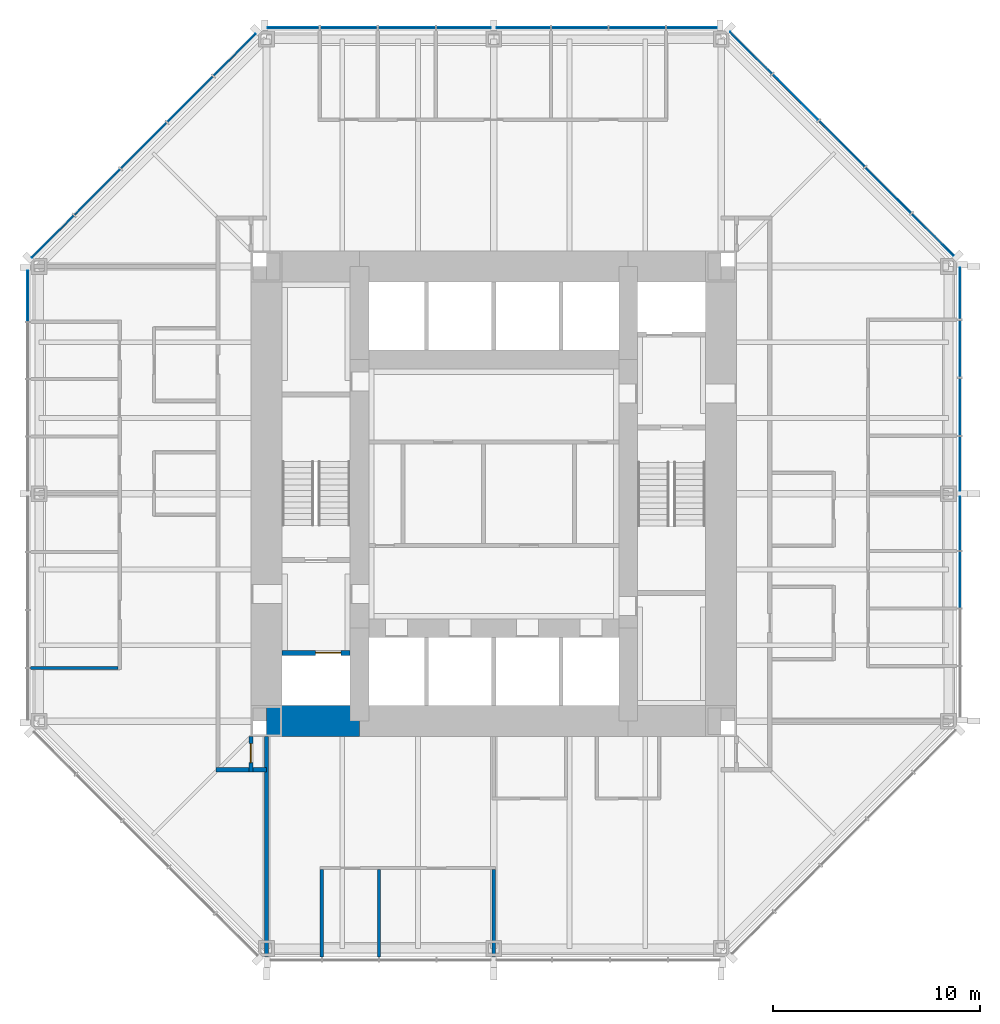
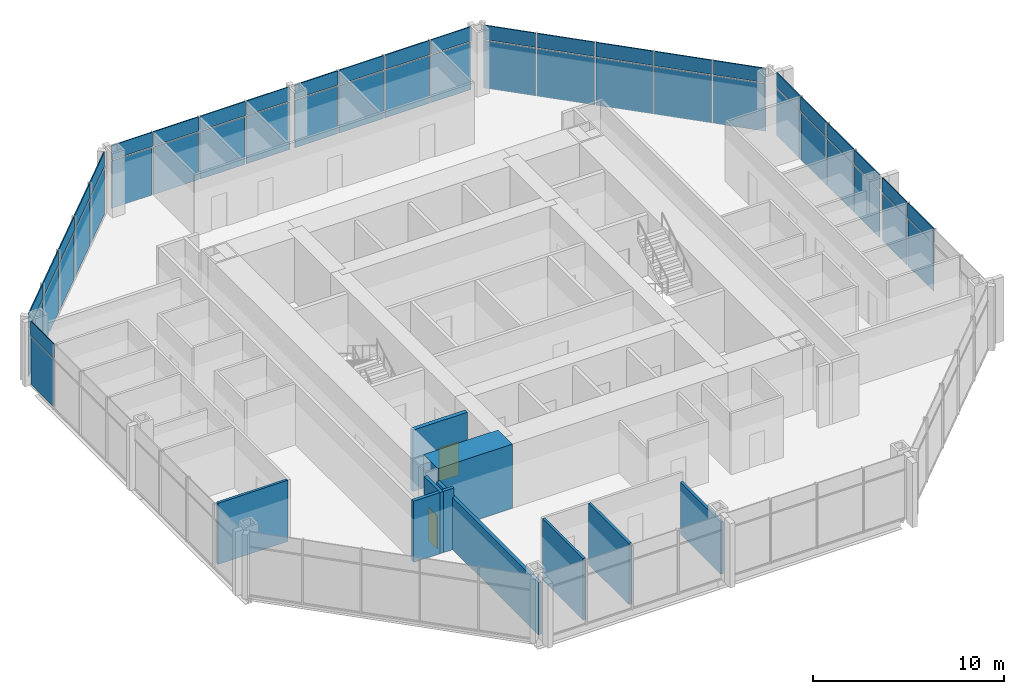
# One storey, part 8 of 12: 50 plates, 9 walls, 2 doors, 2 openings, 5 elements without a shape of their own.
"""IFC4 building model written with IfcOpenShell, lengths in metres."""

import ifcopenshell
import ifcopenshell.guid

model = None  # the IFC model being written
_history = None  # IfcOwnerHistory: only IFC2X3 demands one
_inside = {}  # id of a spatial element -> (the spatial element, [elements in it])
_under = {}  # id of a project, library or spatial element -> (it, [spatial elements below it])
_declared = {}  # id of a project -> (the project, [libraries it declares])
_typed = {}  # id of a type object -> (the type object, [elements of that type])
_made_of = {}  # id of a material, layer set ... -> (it, [elements and type objects made of it])


def new_model(schema):
    """Start an empty IFC model of exactly this schema.

    Asked for "IFC4X3", IfcOpenShell would pick the latest addendum, in which some entities
    have other attributes; the version numbers below select the first issue.
    IFC2X3 requires an IfcOwnerHistory on every rooted entity: one is made here for all.
    """
    global model, _history
    if schema == "IFC4X3":
        model = ifcopenshell.file(schema_version=(4, 3, 0, 0))
    else:
        model = ifcopenshell.file(schema=schema)
    _inside.clear()
    _under.clear()
    _declared.clear()
    _typed.clear()
    _made_of.clear()
    _history = None
    if model.schema == "IFC2X3":
        org = make("IfcOrganization", Name="unknown")
        user = make(
            "IfcPersonAndOrganization",
            ThePerson=make("IfcPerson", FamilyName="unknown"),
            TheOrganization=org,
        )
        app = make(
            "IfcApplication",
            ApplicationDeveloper=org,
            Version="unknown",
            ApplicationFullName="unknown",
            ApplicationIdentifier="unknown",
        )
        _history = make(
            "IfcOwnerHistory",
            OwningUser=user,
            OwningApplication=app,
            ChangeAction="ADDED",
            CreationDate=0,
        )
    return model


def make(cls, **values):
    """One entity of the class cls with the attributes given. An attribute that is None is left unset."""
    return model.create_entity(
        cls, **{name: value for name, value in values.items() if value is not None}
    )


def rooted(cls, **values):
    """An entity with a GlobalId (a new one), such as an element, a storey or a relation."""
    return make(cls, GlobalId=ifcopenshell.guid.new(), OwnerHistory=_history, **values)


def si_unit(unit_type, name, prefix=None):
    """IfcSIUnit, for example si_unit("LENGTHUNIT", "METRE", prefix="MILLI")."""
    return make("IfcSIUnit", UnitType=unit_type, Prefix=prefix, Name=name)


def assignment(units):
    """IfcUnitAssignment: the units of a project."""
    return None if units is None else make("IfcUnitAssignment", Units=units)


def point(xyz):
    """IfcCartesianPoint."""
    return None if xyz is None else make("IfcCartesianPoint", Coordinates=xyz)


def direction(xyz):
    """IfcDirection."""
    return None if xyz is None else make("IfcDirection", DirectionRatios=xyz)


def frame(location, z_axis=None, x_axis=None):
    """IfcAxis2Placement3D, a coordinate frame: its origin and axes. An axis left out is left unset."""
    return make(
        "IfcAxis2Placement3D",
        Location=point(location),
        Axis=direction(z_axis),
        RefDirection=direction(x_axis),
    )


def frame_2d(location, x_axis=None):
    """IfcAxis2Placement2D, a coordinate frame in the plane: its origin and x axis."""
    return make(
        "IfcAxis2Placement2D", Location=point(location), RefDirection=direction(x_axis)
    )


def origin():
    """The frame at (0, 0, 0) with its axes left unset."""
    return frame((0.0, 0.0, 0.0))


def origin_2d():
    """The frame at (0, 0) in the plane with its x axis left unset."""
    return frame_2d((0.0, 0.0))


def place(relative_to, where):
    """IfcLocalPlacement: puts the frame where relative to a parent placement (None: the world)."""
    return make(
        "IfcLocalPlacement", PlacementRelTo=relative_to, RelativePlacement=where
    )


def context(
    kind, dimensions, precision=None, world=None, true_north=None, identifier=None
):
    """IfcGeometricRepresentationContext, for example the 3D "Model" context."""
    return make(
        "IfcGeometricRepresentationContext",
        ContextIdentifier=identifier,
        ContextType=kind,
        CoordinateSpaceDimension=dimensions,
        Precision=precision,
        WorldCoordinateSystem=world,
        TrueNorth=true_north,
    )


def subcontext(parent, identifier, kind, view, scale=None):
    """IfcGeometricRepresentationSubContext, for example "Body" below "Model"."""
    return make(
        "IfcGeometricRepresentationSubContext",
        ContextIdentifier=identifier,
        ContextType=kind,
        ParentContext=parent,
        TargetScale=scale,
        TargetView=view,
    )


def project(units=None, contexts=None):
    """IfcProject with its units and contexts."""
    return rooted(
        "IfcProject",
        Name="project",
        RepresentationContexts=contexts,
        UnitsInContext=assignment(units),
    )


def spatial(cls, under=None, at=None, **own):
    """A site, building, storey or space (cls), placed at a placement, below another one or the project."""
    s = rooted(cls, ObjectPlacement=at, **own)
    if under is not None:
        _under.setdefault(under.id(), (under, []))[1].append(s)
    return s


def profile(cls, at=None, kind="AREA", **sizes):
    """A parametric profile (cls). Its sizes go by their IFC names, for example OverallWidth=200.0."""
    return make(cls, ProfileType=kind, Position=at, **sizes)


def rectangle(**sizes):
    """IfcRectangleProfileDef."""
    return profile("IfcRectangleProfileDef", **sizes)


def extrude(swept, where, along, depth):
    """IfcExtrudedAreaSolid: the profile swept, set in the frame where, extruded along a direction by depth."""
    return make(
        "IfcExtrudedAreaSolid",
        SweptArea=swept,
        Position=where,
        ExtrudedDirection=direction(along),
        Depth=depth,
    )


def shape(context_of_items, identifier, shape_type, items):
    """IfcShapeRepresentation: the items that make up one representation, for example the "Body"."""
    return make(
        "IfcShapeRepresentation",
        ContextOfItems=context_of_items,
        RepresentationIdentifier=identifier,
        RepresentationType=shape_type,
        Items=items,
    )


def material(Name=None, Category=None):
    """IfcMaterial."""
    return make("IfcMaterial", Name=Name, Category=Category)


def layer(
    of_material, thickness, ventilated=None, Name=None, Category=None, Priority=None
):
    """IfcMaterialLayer: one layer of a wall or slab, of a material (None: an air gap)."""
    return make(
        "IfcMaterialLayer",
        Material=of_material,
        LayerThickness=thickness,
        IsVentilated=ventilated,
        Name=Name,
        Category=Category,
        Priority=Priority,
    )


def layer_set(layers, Name=None):
    """IfcMaterialLayerSet."""
    return make("IfcMaterialLayerSet", MaterialLayers=layers, LayerSetName=Name)


def made_of(thing, what):
    """Note that an element or type object is made of a material, layer set ...; save() writes the relation."""
    if what is not None:
        _made_of.setdefault(what.id(), (what, []))[1].append(thing)
    return thing


def type_object(cls, material=None, **own):
    """A type object (cls), such as IfcWallType, which elements share."""
    return made_of(rooted(cls, **own), material)


def element(
    cls,
    number,
    at=None,
    inside=None,
    cuts=None,
    type_object=None,
    material=None,
    context=None,
    identifier="Body",
    shape_type=None,
    held_by="IfcProductDefinitionShape",
    body=None,
    shapes=None,
    **own,
):
    """One element of the class cls, such as IfcWall. Its Tag is "e" and its number.

    at: its placement. inside: the storey or other place that contains it. cuts: it is an
    opening in that element (IfcRelVoidsElement). A single representation is given by context,
    identifier, shape_type and body (its items); several are given by shapes. held_by: the class
    of the entity that holds the representations. save() writes the other relations.
    """
    e = rooted(cls, Tag="e%d" % number, ObjectPlacement=at, **own)
    if body is not None:
        shapes = [shape(context, identifier, shape_type, body)]
    if shapes is not None:
        e.Representation = make(held_by, Representations=shapes)
    if inside is not None:
        _inside.setdefault(inside.id(), (inside, []))[1].append(e)
    if cuts is not None:
        rooted(
            "IfcRelVoidsElement", RelatingBuildingElement=cuts, RelatedOpeningElement=e
        )
    if type_object is not None:
        _typed.setdefault(type_object.id(), (type_object, []))[1].append(e)
    return made_of(e, material)


def fill(opening, filler):
    """IfcRelFillsElement: the door or window that sits in an opening."""
    return rooted(
        "IfcRelFillsElement",
        RelatingOpeningElement=opening,
        RelatedBuildingElement=filler,
    )


def aggregate(whole, parts):
    """IfcRelAggregates: a whole, such as a stair, and the parts it consists of."""
    return rooted("IfcRelAggregates", RelatingObject=whole, RelatedObjects=parts)


def save(model, path):
    """Write the relations noted so far, then the file.

    IfcRelAggregates (storeys below a building ...), IfcRelContainedInSpatialStructure (elements
    in a storey), IfcRelDefinesByType, IfcRelAssociatesMaterial and IfcRelDeclares: one each for
    every whole, place, type object, material and project.
    """
    for whole, parts in _under.values():
        aggregate(whole, parts)
    for where, things in _inside.values():
        rooted(
            "IfcRelContainedInSpatialStructure",
            RelatedElements=things,
            RelatingStructure=where,
        )
    for kind, things in _typed.values():
        rooted("IfcRelDefinesByType", RelatedObjects=things, RelatingType=kind)
    for what, things in _made_of.values():
        rooted("IfcRelAssociatesMaterial", RelatedObjects=things, RelatingMaterial=what)
    for by, libraries in _declared.values():
        rooted("IfcRelDeclares", RelatingContext=by, RelatedDefinitions=libraries)
    model.write(path)


model = new_model("IFC4")

# Units and contexts
model_context = context("Model", 3, precision=1e-05, world=origin(), true_north=direction((0.0, 1.0)))
body_context = subcontext(model_context, "Body", "Model", "MODEL_VIEW")
ifc_project = project(units=[si_unit("LENGTHUNIT", "METRE"), si_unit("AREAUNIT", "SQUARE_METRE"), si_unit("VOLUMEUNIT", "CUBIC_METRE"), si_unit("PLANEANGLEUNIT", "RADIAN"), si_unit("MASSUNIT", "GRAM", prefix="KILO")], contexts=[model_context])

# Site, building, storey
site_placement = place(None, origin())
site = spatial("IfcSite", under=ifc_project, at=site_placement, CompositionType="ELEMENT")
building_placement = place(site_placement, origin())
building = spatial("IfcBuilding", under=site, at=building_placement, Name="Trevanion Tower", CompositionType="ELEMENT")
storey_placement = place(building_placement, frame((0.0, 0.0, 113.10009765625)))
storey = spatial("IfcBuildingStorey", under=building, at=storey_placement, Name="L26", CompositionType="ELEMENT", Elevation=113.10009765625)

# Curtain wall, plates
ifc_material_1 = material(Name="Aluminium and glass", Category="aluminium")
curtain_wall_type = type_object("IfcCurtainWallType", Name="CW2 curtain wall", PredefinedType="USERDEFINED", material=ifc_material_1)
curtain_wall_1_placement = place(storey_placement, origin())
curtain_wall_1 = element("IfcCurtainWall", 1, at=curtain_wall_1_placement, inside=storey, type_object=curtain_wall_type, Name="CW2 L26 0", ObjectType="UNITISED CURTAIN WALL", PredefinedType="USERDEFINED")
ifc_material_2 = material(Name="Aluminium spandrel panel", Category="aluminium")
ifc_layer_1 = layer(ifc_material_2, 0.06005859375)
ifc_layer_set_1 = layer_set([ifc_layer_1], Name="CW2 spandrel panel")
plate_type_1 = type_object("IfcPlateType", Name="CW2 spandrel panel", PredefinedType="CURTAIN_PANEL", material=ifc_layer_set_1)
plate_1_placement = place(storey_placement, frame((22.550048828125, -4.16162109375, 2.997314453125), z_axis=(0.0, 0.0, 1.0), x_axis=(0.0, 1.0, 0.0)))
plate_1 = element("IfcPlate", 2, at=plate_1_placement, type_object=plate_type_1, Name="CW2 panel 3.2", PredefinedType="CURTAIN_PANEL", context=body_context, shape_type="SweptSolid", body=[
    extrude(rectangle(XDim=2.699462890625, YDim=0.06005859375, at=origin_2d()), origin(), (0.0, 0.0, 1.0), 0.91259765625),
])
plate_2_placement = place(storey_placement, frame((22.550048828125, -1.443603515625, 2.997314453125), z_axis=(0.0, 0.0, 1.0), x_axis=(0.0, 1.0, 0.0)))
plate_2 = element("IfcPlate", 3, at=plate_2_placement, type_object=plate_type_1, Name="CW2 panel 4.2", PredefinedType="CURTAIN_PANEL", context=body_context, shape_type="SweptSolid", body=[
    extrude(rectangle(XDim=2.5869140625, YDim=0.06005859375, at=origin_2d()), origin(), (0.0, 0.0, 1.0), 0.91259765625),
])
plate_3_placement = place(storey_placement, frame((22.550048828125, 1.459716796875, 2.997314453125), z_axis=(0.0, 0.0, 1.0), x_axis=(0.0, 1.0, 0.0)))
plate_3 = element("IfcPlate", 4, at=plate_3_placement, type_object=plate_type_1, Name="CW2 panel 5.2", PredefinedType="CURTAIN_PANEL", context=body_context, shape_type="SweptSolid", body=[
    extrude(rectangle(XDim=2.619384765625, YDim=0.06005859375, at=origin_2d()), origin(), (0.0, 0.0, 1.0), 0.91259765625),
])
plate_4_placement = place(storey_placement, frame((22.550048828125, 4.21044921875, 2.997314453125), z_axis=(0.0, 0.0, 1.0), x_axis=(0.0, 1.0, 0.0)))
plate_4 = element("IfcPlate", 5, at=plate_4_placement, type_object=plate_type_1, Name="CW2 panel 6.2", PredefinedType="CURTAIN_PANEL", context=body_context, shape_type="SweptSolid", body=[
    extrude(rectangle(XDim=2.73193359375, YDim=0.06005859375, at=origin_2d()), origin(), (0.0, 0.0, 1.0), 0.91259765625),
])
plate_5_placement = place(storey_placement, frame((22.550048828125, 7.017333984375, 2.997314453125), z_axis=(0.0, 0.0, 1.0), x_axis=(0.0, 1.0, 0.0)))
plate_5 = element("IfcPlate", 6, at=plate_5_placement, type_object=plate_type_1, Name="CW2 panel 7.2", PredefinedType="CURTAIN_PANEL", context=body_context, shape_type="SweptSolid", body=[
    extrude(rectangle(XDim=2.73193359375, YDim=0.06005859375, at=origin_2d()), origin(), (0.0, 0.0, 1.0), 0.91259765625),
])
plate_6_placement = place(storey_placement, frame((22.550048828125, 9.693115234375, 2.997314453125), z_axis=(0.0, 0.0, 1.0), x_axis=(0.0, 1.0, 0.0)))
plate_6 = element("IfcPlate", 7, at=plate_6_placement, type_object=plate_type_1, Name="CW2 panel 8.2", PredefinedType="CURTAIN_PANEL", context=body_context, shape_type="SweptSolid", body=[
    extrude(rectangle(XDim=2.469482421875, YDim=0.06005859375, at=origin_2d()), origin(), (0.0, 0.0, 1.0), 0.91259765625),
])

curtain_wall_2_placement = place(storey_placement, origin())
curtain_wall_2 = element("IfcCurtainWall", 8, at=curtain_wall_2_placement, inside=storey, type_object=curtain_wall_type, Name="CW2 L26 1", ObjectType="UNITISED CURTAIN WALL", PredefinedType="USERDEFINED")
plate_7_placement = place(storey_placement, frame((21.2421875, 12.53564453125, 2.997314453125), z_axis=(0.0, 0.0, 1.0), x_axis=(-0.707106781187, 0.707106781187, 0.0)))
plate_7 = element("IfcPlate", 9, at=plate_7_placement, type_object=plate_type_1, Name="CW2 panel 1.2", PredefinedType="CURTAIN_PANEL", context=body_context, shape_type="SweptSolid", body=[
    extrude(rectangle(XDim=2.8388671875, YDim=0.06005859375, at=origin_2d()), origin(), (0.0, 0.0, 1.0), 0.91259765625),
])
plate_8_placement = place(storey_placement, frame((19.089111328125, 14.688720703125, 2.997314453125), z_axis=(0.0, 0.0, 1.0), x_axis=(-0.707106781187, 0.707106781187, 0.0)))
plate_8 = element("IfcPlate", 10, at=plate_8_placement, type_object=plate_type_1, Name="CW2 panel 2.2", PredefinedType="CURTAIN_PANEL", context=body_context, shape_type="SweptSolid", body=[
    extrude(rectangle(XDim=3.101318359375, YDim=0.06005859375, at=origin_2d()), origin(), (0.0, 0.0, 1.0), 0.91259765625),
])
plate_9_placement = place(storey_placement, frame((16.843017578125, 16.934814453125, 2.997314453125), z_axis=(0.0, 0.0, 1.0), x_axis=(-0.707106781187, 0.707106781187, 0.0)))
plate_9 = element("IfcPlate", 11, at=plate_9_placement, type_object=plate_type_1, Name="CW2 panel 3.2", PredefinedType="CURTAIN_PANEL", context=body_context, shape_type="SweptSolid", body=[
    extrude(rectangle(XDim=3.101318359375, YDim=0.06005859375, at=origin_2d()), origin(), (0.0, 0.0, 1.0), 0.91259765625),
])
plate_10_placement = place(storey_placement, frame((14.596923828125, 19.180908203125, 2.997314453125), z_axis=(0.0, 0.0, 1.0), x_axis=(-0.707106781187, 0.707106781187, 0.0)))
plate_10 = element("IfcPlate", 12, at=plate_10_placement, type_object=plate_type_1, Name="CW2 panel 4.2", PredefinedType="CURTAIN_PANEL", context=body_context, shape_type="SweptSolid", body=[
    extrude(rectangle(XDim=3.101318359375, YDim=0.06005859375, at=origin_2d()), origin(), (0.0, 0.0, 1.0), 0.91259765625),
])
plate_11_placement = place(storey_placement, frame((12.443603515625, 21.334228515625, 2.997314453125), z_axis=(0.0, 0.0, 1.0), x_axis=(-0.707106781187, 0.707106781187, 0.0)))
plate_11 = element("IfcPlate", 13, at=plate_11_placement, type_object=plate_type_1, Name="CW2 panel 5.2", PredefinedType="CURTAIN_PANEL", context=body_context, shape_type="SweptSolid", body=[
    extrude(rectangle(XDim=2.8388671875, YDim=0.06005859375, at=origin_2d()), origin(), (0.0, 0.0, 1.0), 0.91259765625),
])

curtain_wall_3_placement = place(storey_placement, origin())
curtain_wall_3 = element("IfcCurtainWall", 14, at=curtain_wall_3_placement, inside=storey, type_object=curtain_wall_type, Name="CW2 L26 2", ObjectType="UNITISED CURTAIN WALL", PredefinedType="USERDEFINED")
plate_12_placement = place(storey_placement, frame((9.579345703125, 22.550048828125, 2.997314453125), z_axis=(0.0, 0.0, 1.0), x_axis=(-1.0, 0.0, 0.0)))
plate_12 = element("IfcPlate", 15, at=plate_12_placement, type_object=plate_type_1, Name="CW2 panel 1.2", PredefinedType="CURTAIN_PANEL", context=body_context, shape_type="SweptSolid", body=[
    extrude(rectangle(XDim=2.43701171875, YDim=0.06005859375, at=origin_2d()), origin(), (0.0, 0.0, 1.0), 0.91259765625),
])
plate_13_placement = place(storey_placement, frame((6.93603515625, 22.550048828125, 2.997314453125), z_axis=(0.0, 0.0, 1.0), x_axis=(-1.0, 0.0, 0.0)))
plate_13 = element("IfcPlate", 16, at=plate_13_placement, type_object=plate_type_1, Name="CW2 panel 2.2", PredefinedType="CURTAIN_PANEL", context=body_context, shape_type="SweptSolid", body=[
    extrude(rectangle(XDim=2.699462890625, YDim=0.06005859375, at=origin_2d()), origin(), (0.0, 0.0, 1.0), 0.91259765625),
])
plate_14_placement = place(storey_placement, frame((4.16162109375, 22.550048828125, 2.997314453125), z_axis=(0.0, 0.0, 1.0), x_axis=(-1.0, 0.0, 0.0)))
plate_14 = element("IfcPlate", 17, at=plate_14_placement, type_object=plate_type_1, Name="CW2 panel 3.2", PredefinedType="CURTAIN_PANEL", context=body_context, shape_type="SweptSolid", body=[
    extrude(rectangle(XDim=2.699462890625, YDim=0.06005859375, at=origin_2d()), origin(), (0.0, 0.0, 1.0), 0.91259765625),
])
plate_15_placement = place(storey_placement, frame((1.443603515625, 22.550048828125, 2.997314453125), z_axis=(0.0, 0.0, 1.0), x_axis=(-1.0, 0.0, 0.0)))
plate_15 = element("IfcPlate", 18, at=plate_15_placement, type_object=plate_type_1, Name="CW2 panel 4.2", PredefinedType="CURTAIN_PANEL", context=body_context, shape_type="SweptSolid", body=[
    extrude(rectangle(XDim=2.5869140625, YDim=0.06005859375, at=origin_2d()), origin(), (0.0, 0.0, 1.0), 0.91259765625),
])
plate_16_placement = place(storey_placement, frame((-1.459716796875, 22.550048828125, 2.997314453125), z_axis=(0.0, 0.0, 1.0), x_axis=(-1.0, 0.0, 0.0)))
plate_16 = element("IfcPlate", 19, at=plate_16_placement, type_object=plate_type_1, Name="CW2 panel 5.2", PredefinedType="CURTAIN_PANEL", context=body_context, shape_type="SweptSolid", body=[
    extrude(rectangle(XDim=2.619384765625, YDim=0.06005859375, at=origin_2d()), origin(), (0.0, 0.0, 1.0), 0.91259765625),
])
plate_17_placement = place(storey_placement, frame((-4.21044921875, 22.550048828125, 2.997314453125), z_axis=(0.0, 0.0, 1.0), x_axis=(-1.0, 0.0, 0.0)))
plate_17 = element("IfcPlate", 20, at=plate_17_placement, type_object=plate_type_1, Name="CW2 panel 6.2", PredefinedType="CURTAIN_PANEL", context=body_context, shape_type="SweptSolid", body=[
    extrude(rectangle(XDim=2.73193359375, YDim=0.06005859375, at=origin_2d()), origin(), (0.0, 0.0, 1.0), 0.91259765625),
])
plate_18_placement = place(storey_placement, frame((-7.017333984375, 22.550048828125, 2.997314453125), z_axis=(0.0, 0.0, 1.0), x_axis=(-1.0, 0.0, 0.0)))
plate_18 = element("IfcPlate", 21, at=plate_18_placement, type_object=plate_type_1, Name="CW2 panel 7.2", PredefinedType="CURTAIN_PANEL", context=body_context, shape_type="SweptSolid", body=[
    extrude(rectangle(XDim=2.73193359375, YDim=0.06005859375, at=origin_2d()), origin(), (0.0, 0.0, 1.0), 0.91259765625),
])
plate_19_placement = place(storey_placement, frame((-9.693115234375, 22.550048828125, 2.997314453125), z_axis=(0.0, 0.0, 1.0), x_axis=(-1.0, 0.0, 0.0)))
plate_19 = element("IfcPlate", 22, at=plate_19_placement, type_object=plate_type_1, Name="CW2 panel 8.2", PredefinedType="CURTAIN_PANEL", context=body_context, shape_type="SweptSolid", body=[
    extrude(rectangle(XDim=2.469482421875, YDim=0.06005859375, at=origin_2d()), origin(), (0.0, 0.0, 1.0), 0.91259765625),
])

curtain_wall_4_placement = place(storey_placement, origin())
curtain_wall_4 = element("IfcCurtainWall", 23, at=curtain_wall_4_placement, inside=storey, type_object=curtain_wall_type, Name="CW2 L26 3", ObjectType="UNITISED CURTAIN WALL", PredefinedType="USERDEFINED")
plate_20_placement = place(storey_placement, frame((-12.53564453125, 21.2421875, 2.997314453125), z_axis=(0.0, 0.0, 1.0), x_axis=(-0.707106781187, -0.707106781187, 0.0)))
plate_20 = element("IfcPlate", 24, at=plate_20_placement, type_object=plate_type_1, Name="CW2 panel 1.2", PredefinedType="CURTAIN_PANEL", context=body_context, shape_type="SweptSolid", body=[
    extrude(rectangle(XDim=2.8388671875, YDim=0.06005859375, at=origin_2d()), origin(), (0.0, 0.0, 1.0), 0.91259765625),
])
plate_21_placement = place(storey_placement, frame((-14.688720703125, 19.089111328125, 2.997314453125), z_axis=(0.0, 0.0, 1.0), x_axis=(-0.707106781187, -0.707106781187, 0.0)))
plate_21 = element("IfcPlate", 25, at=plate_21_placement, type_object=plate_type_1, Name="CW2 panel 2.2", PredefinedType="CURTAIN_PANEL", context=body_context, shape_type="SweptSolid", body=[
    extrude(rectangle(XDim=3.101318359375, YDim=0.06005859375, at=origin_2d()), origin(), (0.0, 0.0, 1.0), 0.91259765625),
])
plate_22_placement = place(storey_placement, frame((-16.934814453125, 16.843017578125, 2.997314453125), z_axis=(0.0, 0.0, 1.0), x_axis=(-0.707106781187, -0.707106781187, 0.0)))
plate_22 = element("IfcPlate", 26, at=plate_22_placement, type_object=plate_type_1, Name="CW2 panel 3.2", PredefinedType="CURTAIN_PANEL", context=body_context, shape_type="SweptSolid", body=[
    extrude(rectangle(XDim=3.101318359375, YDim=0.06005859375, at=origin_2d()), origin(), (0.0, 0.0, 1.0), 0.91259765625),
])
plate_23_placement = place(storey_placement, frame((-19.180908203125, 14.596923828125, 2.997314453125), z_axis=(0.0, 0.0, 1.0), x_axis=(-0.707106781187, -0.707106781187, 0.0)))
plate_23 = element("IfcPlate", 27, at=plate_23_placement, type_object=plate_type_1, Name="CW2 panel 4.2", PredefinedType="CURTAIN_PANEL", context=body_context, shape_type="SweptSolid", body=[
    extrude(rectangle(XDim=3.101318359375, YDim=0.06005859375, at=origin_2d()), origin(), (0.0, 0.0, 1.0), 0.91259765625),
])
plate_24_placement = place(storey_placement, frame((-21.334228515625, 12.443603515625, 2.997314453125), z_axis=(0.0, 0.0, 1.0), x_axis=(-0.707106781187, -0.707106781187, 0.0)))
plate_24 = element("IfcPlate", 28, at=plate_24_placement, type_object=plate_type_1, Name="CW2 panel 5.2", PredefinedType="CURTAIN_PANEL", context=body_context, shape_type="SweptSolid", body=[
    extrude(rectangle(XDim=2.8388671875, YDim=0.06005859375, at=origin_2d()), origin(), (0.0, 0.0, 1.0), 0.91259765625),
])

# Curtain wall, plate
curtain_wall_5_placement = place(storey_placement, origin())
curtain_wall_5 = element("IfcCurtainWall", 29, at=curtain_wall_5_placement, inside=storey, type_object=curtain_wall_type, Name="CW2 L26 4", ObjectType="UNITISED CURTAIN WALL", PredefinedType="USERDEFINED")
plate_25_placement = place(storey_placement, frame((-22.550048828125, 9.579345703125, 2.997314453125), z_axis=(0.0, 0.0, 1.0), x_axis=(0.0, -1.0, 0.0)))
plate_25 = element("IfcPlate", 30, at=plate_25_placement, type_object=plate_type_1, Name="CW2 panel 1.2", PredefinedType="CURTAIN_PANEL", context=body_context, shape_type="SweptSolid", body=[
    extrude(rectangle(XDim=2.43701171875, YDim=0.06005859375, at=origin_2d()), origin(), (0.0, 0.0, 1.0), 0.91259765625),
])

# Plate
ifc_material_3 = material(Name="Insulating glass unit", Category="glass")
ifc_layer_2 = layer(ifc_material_3, 0.028076171875)
ifc_layer_set_2 = layer_set([ifc_layer_2], Name="CW2 vision panel")
plate_type_2 = type_object("IfcPlateType", Name="CW2 vision panel", PredefinedType="CURTAIN_PANEL", material=ifc_layer_set_2)
plate_26_placement = place(storey_placement, frame((22.550048828125, -4.16162109375, -0.115234375), z_axis=(0.0, 0.0, 1.0), x_axis=(0.0, 1.0, 0.0)))
plate_26 = element("IfcPlate", 31, at=plate_26_placement, type_object=plate_type_2, Name="CW2 panel 3.1", PredefinedType="CURTAIN_PANEL", context=body_context, shape_type="SweptSolid", body=[
    extrude(rectangle(XDim=2.699462890625, YDim=0.028076171875, at=origin_2d()), origin(), (0.0, 0.0, 1.0), 3.03759765625),
])

plate_27_placement = place(storey_placement, frame((22.550048828125, -1.443603515625, -0.115234375), z_axis=(0.0, 0.0, 1.0), x_axis=(0.0, 1.0, 0.0)))
plate_27 = element("IfcPlate", 32, at=plate_27_placement, type_object=plate_type_2, Name="CW2 panel 4.1", PredefinedType="CURTAIN_PANEL", context=body_context, shape_type="SweptSolid", body=[
    extrude(rectangle(XDim=2.5869140625, YDim=0.028076171875, at=origin_2d()), origin(), (0.0, 0.0, 1.0), 3.03759765625),
])

plate_28_placement = place(storey_placement, frame((22.550048828125, 1.459716796875, -0.115234375), z_axis=(0.0, 0.0, 1.0), x_axis=(0.0, 1.0, 0.0)))
plate_28 = element("IfcPlate", 33, at=plate_28_placement, type_object=plate_type_2, Name="CW2 panel 5.1", PredefinedType="CURTAIN_PANEL", context=body_context, shape_type="SweptSolid", body=[
    extrude(rectangle(XDim=2.619384765625, YDim=0.028076171875, at=origin_2d()), origin(), (0.0, 0.0, 1.0), 3.03759765625),
])

plate_29_placement = place(storey_placement, frame((22.550048828125, 4.21044921875, -0.115234375), z_axis=(0.0, 0.0, 1.0), x_axis=(0.0, 1.0, 0.0)))
plate_29 = element("IfcPlate", 34, at=plate_29_placement, type_object=plate_type_2, Name="CW2 panel 6.1", PredefinedType="CURTAIN_PANEL", context=body_context, shape_type="SweptSolid", body=[
    extrude(rectangle(XDim=2.73193359375, YDim=0.028076171875, at=origin_2d()), origin(), (0.0, 0.0, 1.0), 3.03759765625),
])

plate_30_placement = place(storey_placement, frame((22.550048828125, 7.017333984375, -0.115234375), z_axis=(0.0, 0.0, 1.0), x_axis=(0.0, 1.0, 0.0)))
plate_30 = element("IfcPlate", 35, at=plate_30_placement, type_object=plate_type_2, Name="CW2 panel 7.1", PredefinedType="CURTAIN_PANEL", context=body_context, shape_type="SweptSolid", body=[
    extrude(rectangle(XDim=2.73193359375, YDim=0.028076171875, at=origin_2d()), origin(), (0.0, 0.0, 1.0), 3.03759765625),
])

plate_31_placement = place(storey_placement, frame((22.550048828125, 9.693115234375, -0.115234375), z_axis=(0.0, 0.0, 1.0), x_axis=(0.0, 1.0, 0.0)))
plate_31 = element("IfcPlate", 36, at=plate_31_placement, type_object=plate_type_2, Name="CW2 panel 8.1", PredefinedType="CURTAIN_PANEL", context=body_context, shape_type="SweptSolid", body=[
    extrude(rectangle(XDim=2.469482421875, YDim=0.028076171875, at=origin_2d()), origin(), (0.0, 0.0, 1.0), 3.03759765625),
])

aggregate(curtain_wall_1, [plate_26, plate_1, plate_27, plate_2, plate_28, plate_3, plate_29, plate_4, plate_30, plate_5, plate_31, plate_6])

plate_32_placement = place(storey_placement, frame((21.2421875, 12.53564453125, -0.115234375), z_axis=(0.0, 0.0, 1.0), x_axis=(-0.707106781187, 0.707106781187, 0.0)))
plate_32 = element("IfcPlate", 37, at=plate_32_placement, type_object=plate_type_2, Name="CW2 panel 1.1", PredefinedType="CURTAIN_PANEL", context=body_context, shape_type="SweptSolid", body=[
    extrude(rectangle(XDim=2.8388671875, YDim=0.028076171875, at=origin_2d()), origin(), (0.0, 0.0, 1.0), 3.03759765625),
])

plate_33_placement = place(storey_placement, frame((19.089111328125, 14.688720703125, -0.115234375), z_axis=(0.0, 0.0, 1.0), x_axis=(-0.707106781187, 0.707106781187, 0.0)))
plate_33 = element("IfcPlate", 38, at=plate_33_placement, type_object=plate_type_2, Name="CW2 panel 2.1", PredefinedType="CURTAIN_PANEL", context=body_context, shape_type="SweptSolid", body=[
    extrude(rectangle(XDim=3.101318359375, YDim=0.028076171875, at=origin_2d()), origin(), (0.0, 0.0, 1.0), 3.03759765625),
])

plate_34_placement = place(storey_placement, frame((16.843017578125, 16.934814453125, -0.115234375), z_axis=(0.0, 0.0, 1.0), x_axis=(-0.707106781187, 0.707106781187, 0.0)))
plate_34 = element("IfcPlate", 39, at=plate_34_placement, type_object=plate_type_2, Name="CW2 panel 3.1", PredefinedType="CURTAIN_PANEL", context=body_context, shape_type="SweptSolid", body=[
    extrude(rectangle(XDim=3.101318359375, YDim=0.028076171875, at=origin_2d()), origin(), (0.0, 0.0, 1.0), 3.03759765625),
])

plate_35_placement = place(storey_placement, frame((14.596923828125, 19.180908203125, -0.115234375), z_axis=(0.0, 0.0, 1.0), x_axis=(-0.707106781187, 0.707106781187, 0.0)))
plate_35 = element("IfcPlate", 40, at=plate_35_placement, type_object=plate_type_2, Name="CW2 panel 4.1", PredefinedType="CURTAIN_PANEL", context=body_context, shape_type="SweptSolid", body=[
    extrude(rectangle(XDim=3.101318359375, YDim=0.028076171875, at=origin_2d()), origin(), (0.0, 0.0, 1.0), 3.03759765625),
])

plate_36_placement = place(storey_placement, frame((12.443603515625, 21.334228515625, -0.115234375), z_axis=(0.0, 0.0, 1.0), x_axis=(-0.707106781187, 0.707106781187, 0.0)))
plate_36 = element("IfcPlate", 41, at=plate_36_placement, type_object=plate_type_2, Name="CW2 panel 5.1", PredefinedType="CURTAIN_PANEL", context=body_context, shape_type="SweptSolid", body=[
    extrude(rectangle(XDim=2.8388671875, YDim=0.028076171875, at=origin_2d()), origin(), (0.0, 0.0, 1.0), 3.03759765625),
])

aggregate(curtain_wall_2, [plate_32, plate_7, plate_33, plate_8, plate_34, plate_9, plate_35, plate_10, plate_36, plate_11])

plate_37_placement = place(storey_placement, frame((9.579345703125, 22.550048828125, -0.115234375), z_axis=(0.0, 0.0, 1.0), x_axis=(-1.0, 0.0, 0.0)))
plate_37 = element("IfcPlate", 42, at=plate_37_placement, type_object=plate_type_2, Name="CW2 panel 1.1", PredefinedType="CURTAIN_PANEL", context=body_context, shape_type="SweptSolid", body=[
    extrude(rectangle(XDim=2.43701171875, YDim=0.028076171875, at=origin_2d()), origin(), (0.0, 0.0, 1.0), 3.03759765625),
])

plate_38_placement = place(storey_placement, frame((6.93603515625, 22.550048828125, -0.115234375), z_axis=(0.0, 0.0, 1.0), x_axis=(-1.0, 0.0, 0.0)))
plate_38 = element("IfcPlate", 43, at=plate_38_placement, type_object=plate_type_2, Name="CW2 panel 2.1", PredefinedType="CURTAIN_PANEL", context=body_context, shape_type="SweptSolid", body=[
    extrude(rectangle(XDim=2.699462890625, YDim=0.028076171875, at=origin_2d()), origin(), (0.0, 0.0, 1.0), 3.03759765625),
])

plate_39_placement = place(storey_placement, frame((4.16162109375, 22.550048828125, -0.115234375), z_axis=(0.0, 0.0, 1.0), x_axis=(-1.0, 0.0, 0.0)))
plate_39 = element("IfcPlate", 44, at=plate_39_placement, type_object=plate_type_2, Name="CW2 panel 3.1", PredefinedType="CURTAIN_PANEL", context=body_context, shape_type="SweptSolid", body=[
    extrude(rectangle(XDim=2.699462890625, YDim=0.028076171875, at=origin_2d()), origin(), (0.0, 0.0, 1.0), 3.03759765625),
])

plate_40_placement = place(storey_placement, frame((1.443603515625, 22.550048828125, -0.115234375), z_axis=(0.0, 0.0, 1.0), x_axis=(-1.0, 0.0, 0.0)))
plate_40 = element("IfcPlate", 45, at=plate_40_placement, type_object=plate_type_2, Name="CW2 panel 4.1", PredefinedType="CURTAIN_PANEL", context=body_context, shape_type="SweptSolid", body=[
    extrude(rectangle(XDim=2.5869140625, YDim=0.028076171875, at=origin_2d()), origin(), (0.0, 0.0, 1.0), 3.03759765625),
])

plate_41_placement = place(storey_placement, frame((-1.459716796875, 22.550048828125, -0.115234375), z_axis=(0.0, 0.0, 1.0), x_axis=(-1.0, 0.0, 0.0)))
plate_41 = element("IfcPlate", 46, at=plate_41_placement, type_object=plate_type_2, Name="CW2 panel 5.1", PredefinedType="CURTAIN_PANEL", context=body_context, shape_type="SweptSolid", body=[
    extrude(rectangle(XDim=2.619384765625, YDim=0.028076171875, at=origin_2d()), origin(), (0.0, 0.0, 1.0), 3.03759765625),
])

plate_42_placement = place(storey_placement, frame((-4.21044921875, 22.550048828125, -0.115234375), z_axis=(0.0, 0.0, 1.0), x_axis=(-1.0, 0.0, 0.0)))
plate_42 = element("IfcPlate", 47, at=plate_42_placement, type_object=plate_type_2, Name="CW2 panel 6.1", PredefinedType="CURTAIN_PANEL", context=body_context, shape_type="SweptSolid", body=[
    extrude(rectangle(XDim=2.73193359375, YDim=0.028076171875, at=origin_2d()), origin(), (0.0, 0.0, 1.0), 3.03759765625),
])

plate_43_placement = place(storey_placement, frame((-7.017333984375, 22.550048828125, -0.115234375), z_axis=(0.0, 0.0, 1.0), x_axis=(-1.0, 0.0, 0.0)))
plate_43 = element("IfcPlate", 48, at=plate_43_placement, type_object=plate_type_2, Name="CW2 panel 7.1", PredefinedType="CURTAIN_PANEL", context=body_context, shape_type="SweptSolid", body=[
    extrude(rectangle(XDim=2.73193359375, YDim=0.028076171875, at=origin_2d()), origin(), (0.0, 0.0, 1.0), 3.03759765625),
])

plate_44_placement = place(storey_placement, frame((-9.693115234375, 22.550048828125, -0.115234375), z_axis=(0.0, 0.0, 1.0), x_axis=(-1.0, 0.0, 0.0)))
plate_44 = element("IfcPlate", 49, at=plate_44_placement, type_object=plate_type_2, Name="CW2 panel 8.1", PredefinedType="CURTAIN_PANEL", context=body_context, shape_type="SweptSolid", body=[
    extrude(rectangle(XDim=2.469482421875, YDim=0.028076171875, at=origin_2d()), origin(), (0.0, 0.0, 1.0), 3.03759765625),
])

aggregate(curtain_wall_3, [plate_37, plate_12, plate_38, plate_13, plate_39, plate_14, plate_40, plate_15, plate_41, plate_16, plate_42, plate_17, plate_43, plate_18, plate_44, plate_19])

plate_45_placement = place(storey_placement, frame((-12.53564453125, 21.2421875, -0.115234375), z_axis=(0.0, 0.0, 1.0), x_axis=(-0.707106781187, -0.707106781187, 0.0)))
plate_45 = element("IfcPlate", 50, at=plate_45_placement, type_object=plate_type_2, Name="CW2 panel 1.1", PredefinedType="CURTAIN_PANEL", context=body_context, shape_type="SweptSolid", body=[
    extrude(rectangle(XDim=2.8388671875, YDim=0.028076171875, at=origin_2d()), origin(), (0.0, 0.0, 1.0), 3.03759765625),
])

plate_46_placement = place(storey_placement, frame((-14.688720703125, 19.089111328125, -0.115234375), z_axis=(0.0, 0.0, 1.0), x_axis=(-0.707106781187, -0.707106781187, 0.0)))
plate_46 = element("IfcPlate", 51, at=plate_46_placement, type_object=plate_type_2, Name="CW2 panel 2.1", PredefinedType="CURTAIN_PANEL", context=body_context, shape_type="SweptSolid", body=[
    extrude(rectangle(XDim=3.101318359375, YDim=0.028076171875, at=origin_2d()), origin(), (0.0, 0.0, 1.0), 3.03759765625),
])

plate_47_placement = place(storey_placement, frame((-16.934814453125, 16.843017578125, -0.115234375), z_axis=(0.0, 0.0, 1.0), x_axis=(-0.707106781187, -0.707106781187, 0.0)))
plate_47 = element("IfcPlate", 52, at=plate_47_placement, type_object=plate_type_2, Name="CW2 panel 3.1", PredefinedType="CURTAIN_PANEL", context=body_context, shape_type="SweptSolid", body=[
    extrude(rectangle(XDim=3.101318359375, YDim=0.028076171875, at=origin_2d()), origin(), (0.0, 0.0, 1.0), 3.03759765625),
])

plate_48_placement = place(storey_placement, frame((-19.180908203125, 14.596923828125, -0.115234375), z_axis=(0.0, 0.0, 1.0), x_axis=(-0.707106781187, -0.707106781187, 0.0)))
plate_48 = element("IfcPlate", 53, at=plate_48_placement, type_object=plate_type_2, Name="CW2 panel 4.1", PredefinedType="CURTAIN_PANEL", context=body_context, shape_type="SweptSolid", body=[
    extrude(rectangle(XDim=3.101318359375, YDim=0.028076171875, at=origin_2d()), origin(), (0.0, 0.0, 1.0), 3.03759765625),
])

plate_49_placement = place(storey_placement, frame((-21.334228515625, 12.443603515625, -0.115234375), z_axis=(0.0, 0.0, 1.0), x_axis=(-0.707106781187, -0.707106781187, 0.0)))
plate_49 = element("IfcPlate", 54, at=plate_49_placement, type_object=plate_type_2, Name="CW2 panel 5.1", PredefinedType="CURTAIN_PANEL", context=body_context, shape_type="SweptSolid", body=[
    extrude(rectangle(XDim=2.8388671875, YDim=0.028076171875, at=origin_2d()), origin(), (0.0, 0.0, 1.0), 3.03759765625),
])

aggregate(curtain_wall_4, [plate_45, plate_20, plate_46, plate_21, plate_47, plate_22, plate_48, plate_23, plate_49, plate_24])

plate_50_placement = place(storey_placement, frame((-22.550048828125, 9.579345703125, -0.115234375), z_axis=(0.0, 0.0, 1.0), x_axis=(0.0, -1.0, 0.0)))
plate_50 = element("IfcPlate", 55, at=plate_50_placement, type_object=plate_type_2, Name="CW2 panel 1.1", PredefinedType="CURTAIN_PANEL", context=body_context, shape_type="SweptSolid", body=[
    extrude(rectangle(XDim=2.43701171875, YDim=0.028076171875, at=origin_2d()), origin(), (0.0, 0.0, 1.0), 3.03759765625),
])

aggregate(curtain_wall_5, [plate_50, plate_25])

# Walls
ifc_material_4 = material(Name="Concrete 10,000 psi", Category="concrete")
ifc_layer_3 = layer(ifc_material_4, 1.5)
ifc_layer_set_3 = layer_set([ifc_layer_3], Name="CW1 core wall 1500")
wall_type_1 = type_object("IfcWallType", Name="CW1 core wall 1500", PredefinedType="SHEAR", material=ifc_layer_set_3)
wall_1_placement = place(storey_placement, frame((-11.0, -11.0, 0.0), z_axis=(0.0, 0.0, 1.0), x_axis=(1.0, 0.0, 0.0)))
element("IfcWall", 56, at=wall_1_placement, inside=storey, type_object=wall_type_1, Name="CW1 CS1 L26", PredefinedType="SHEAR", context=body_context, shape_type="SweptSolid", body=[
    extrude(rectangle(XDim=4.5, YDim=1.5, at=frame_2d((2.25, 0.0))), origin(), (0.0, 0.0, 1.0), 4.099853515625),
])
ifc_material_5 = material(Name="Gypsum board on steel studs", Category="steel")
ifc_layer_4 = layer(ifc_material_5, 0.14990234375)
ifc_layer_set_4 = layer_set([ifc_layer_4], Name="PT1 partition 150")
wall_type_2 = type_object("IfcWallType", Name="PT1 partition 150", PredefinedType="PARTITIONING", material=ifc_layer_set_4)
for number, where, z_axis, x_axis, name in (
    (57, (-18.175048828125, -8.4208984375, 0.0), (0.0, 0.0, 1.0), (-1.0, 0.0, 0.0), "PT1 L26 FC2S6"),
    (58, (-8.322998046875, -18.175048828125, 0.0), (0.0, 0.0, 1.0), (0.0, -1.0, 0.0), "PT1 L26 FC3S0"),
    (59, (-5.549072265625, -18.175048828125, 0.0), (0.0, 0.0, 1.0), (0.0, -1.0, 0.0), "PT1 L26 FC3S1"),
):
    element("IfcWall", number, at=place(storey_placement, frame(where, z_axis=z_axis, x_axis=x_axis)), inside=storey, type_object=wall_type_2, Name=name, PredefinedType="PARTITIONING", context=body_context, shape_type="SweptSolid", body=[
        extrude(rectangle(XDim=4.239990234375, YDim=0.14990234375, at=frame_2d((2.1201171875, 0.0))), origin(), (0.0, 0.0, 1.0), 3.909912109375),
    ])
wall_2_placement = place(storey_placement, frame((0.0, -18.175048828125, 0.0), z_axis=(0.0, 0.0, 1.0), x_axis=(0.0, -1.0, 0.0)))
element("IfcWall", 60, at=wall_2_placement, inside=storey, type_object=wall_type_2, Name="PT1 L26 FC3S3", PredefinedType="PARTITIONING", context=body_context, shape_type="SweptSolid", body=[
    extrude(rectangle(XDim=4.239990234375, YDim=0.14990234375, at=frame_2d((2.1201171875, 0.0))), origin(), (0.0, 0.0, 1.0), 3.32568359375),
])

# Wall, opening, door
ifc_material_6 = material(Name="Concrete masonry, grouted", Category="masonry")
ifc_layer_5 = layer(ifc_material_6, 0.199951171875)
ifc_layer_set_5 = layer_set([ifc_layer_5], Name="PT2 partition 200 1 HR")
wall_type_3 = type_object("IfcWallType", Name="PT2 partition 200 1 HR", PredefinedType="PARTITIONING", material=ifc_layer_set_5)
wall_3_placement = place(storey_placement, frame((-11.75, -11.75, 0.0), z_axis=(0.0, 0.0, 1.0), x_axis=(0.0, -1.0, 0.0)))
wall_3 = element("IfcWall", 61, at=wall_3_placement, inside=storey, type_object=wall_type_3, Name="PT2 L26 OUSW1", PredefinedType="PARTITIONING", context=body_context, shape_type="SweptSolid", body=[
    extrude(rectangle(XDim=1.699951171875, YDim=0.199951171875, at=frame_2d((0.85009765625, 0.0))), origin(), (0.0, 0.0, 1.0), 3.909912109375),
])
opening_1_placement = place(wall_3_placement, frame((0.342529296875, 0.0, 0.0)))
opening_1 = element("IfcOpeningElement", 62, at=opening_1_placement, cuts=wall_3, Name="Opening 26-022", PredefinedType="OPENING", context=body_context, shape_type="SweptSolid", body=[
    extrude(rectangle(XDim=0.9150390625, YDim=2.134033203125, at=frame_2d((0.45751953125, 1.06689453125))), frame((0.0, 0.10986328125, 0.0), z_axis=(0.0, -1.0, 0.0), x_axis=(1.0, 0.0, 0.0)), (0.0, 0.0, 1.0), 0.219970703125),
])
ifc_material_7 = material(Name="Timber veneer, fire rated", Category="wood")
door_type_1 = type_object("IfcDoorType", Name="D10 office door in a one hour wall", OperationType="SINGLE_SWING_LEFT", PredefinedType="DOOR", material=ifc_material_7)
door_1_placement = place(opening_1_placement, frame((0.9150390625, 0.0, 0.0), z_axis=(0.0, 0.0, 1.0), x_axis=(-1.0, 0.0, 0.0)))
door_1 = element("IfcDoor", 63, at=door_1_placement, inside=storey, type_object=door_type_1, Name="Door 26-022", OperationType="SINGLE_SWING_LEFT", OverallHeight=2.134033203125, OverallWidth=0.9150390625, PredefinedType="DOOR", context=body_context, shape_type="SweptSolid", body=[
    extrude(rectangle(XDim=0.9150390625, YDim=2.134033203125, at=frame_2d((0.45751953125, 1.06689453125))), frame((0.0, 0.02490234375, 0.0), z_axis=(0.0, -1.0, 0.0), x_axis=(1.0, 0.0, 0.0)), (0.0, 0.0, 1.0), 0.050048828125),
])
fill(opening_1, door_1)

# Walls
wall_4_placement = place(storey_placement, frame((-11.0, -13.35009765625, 0.0), z_axis=(0.0, 0.0, 1.0), x_axis=(-1.0, 0.0, 0.0)))
element("IfcWall", 64, at=wall_4_placement, inside=storey, type_object=wall_type_3, Name="PT2 L26 OUSW2", PredefinedType="PARTITIONING", context=body_context, shape_type="SweptSolid", body=[
    extrude(rectangle(XDim=2.449951171875, YDim=0.199951171875, at=frame_2d((1.22509765625, 0.0))), origin(), (0.0, 0.0, 1.0), 3.909912109375),
])
wall_5_placement = place(storey_placement, frame((-11.0, -11.75, 0.0), z_axis=(0.0, 0.0, 1.0), x_axis=(0.0, -1.0, 0.0)))
element("IfcWall", 65, at=wall_5_placement, inside=storey, type_object=wall_type_3, Name="PT2 L26 DM2", PredefinedType="PARTITIONING", context=body_context, shape_type="SweptSolid", body=[
    extrude(rectangle(XDim=10.6650390625, YDim=0.199951171875, at=frame_2d((5.33251953125, 0.0))), origin(), (0.0, 0.0, 1.0), 3.32568359375),
])

# Wall, opening, door
ifc_material_8 = material(Name="Concrete masonry, grouted, two-hour", Category="masonry")
ifc_layer_6 = layer(ifc_material_8, 0.25)
ifc_layer_set_6 = layer_set([ifc_layer_6], Name="PT3 partition 250 2 HR")
wall_type_4 = type_object("IfcWallType", Name="PT3 partition 250 2 HR", PredefinedType="PARTITIONING", material=ifc_layer_set_6)
wall_6_placement = place(storey_placement, frame((-6.949951171875, -7.699951171875, 0.0), z_axis=(0.0, 0.0, 1.0), x_axis=(-1.0, 0.0, 0.0)))
wall_6 = element("IfcWall", 66, at=wall_6_placement, inside=storey, type_object=wall_type_4, Name="PT3 L26 WP3", PredefinedType="PARTITIONING", context=body_context, shape_type="SweptSolid", body=[
    extrude(rectangle(XDim=3.300048828125, YDim=0.25, at=frame_2d((1.64990234375, 0.0))), origin(), (0.0, 0.0, 1.0), 3.909912109375),
])
opening_2_placement = place(wall_6_placement, frame((0.449951171875, 0.0, 0.0)))
opening_2 = element("IfcOpeningElement", 67, at=opening_2_placement, cuts=wall_6, Name="Opening 26-008", PredefinedType="OPENING", context=body_context, shape_type="SweptSolid", body=[
    extrude(rectangle(XDim=1.218994140625, YDim=2.134033203125, at=frame_2d((0.609375, 1.06689453125))), frame((0.0, 0.135009765625, 0.0), z_axis=(0.0, -1.0, 0.0), x_axis=(1.0, 0.0, 0.0)), (0.0, 0.0, 1.0), 0.27001953125),
])
ifc_material_9 = material(Name="Stainless steel, fire rated", Category="steel")
door_type_2 = type_object("IfcDoorType", Name="LD2 fire service lift landing door", OperationType="SLIDING_TO_LEFT", PredefinedType="DOOR", material=ifc_material_9)
door_2_placement = place(opening_2_placement, origin())
door_2 = element("IfcDoor", 68, at=door_2_placement, inside=storey, type_object=door_type_2, Name="Door 26-008", OperationType="SLIDING_TO_LEFT", OverallHeight=2.134033203125, OverallWidth=1.218994140625, PredefinedType="DOOR", context=body_context, shape_type="SweptSolid", body=[
    extrude(rectangle(XDim=1.218994140625, YDim=2.134033203125, at=frame_2d((0.609375, 1.06689453125))), frame((0.0, 0.02490234375, 0.0), z_axis=(0.0, -1.0, 0.0), x_axis=(1.0, 0.0, 0.0)), (0.0, 0.0, 1.0), 0.050048828125),
])
fill(opening_2, door_2)

save(model, "model.ifc")
